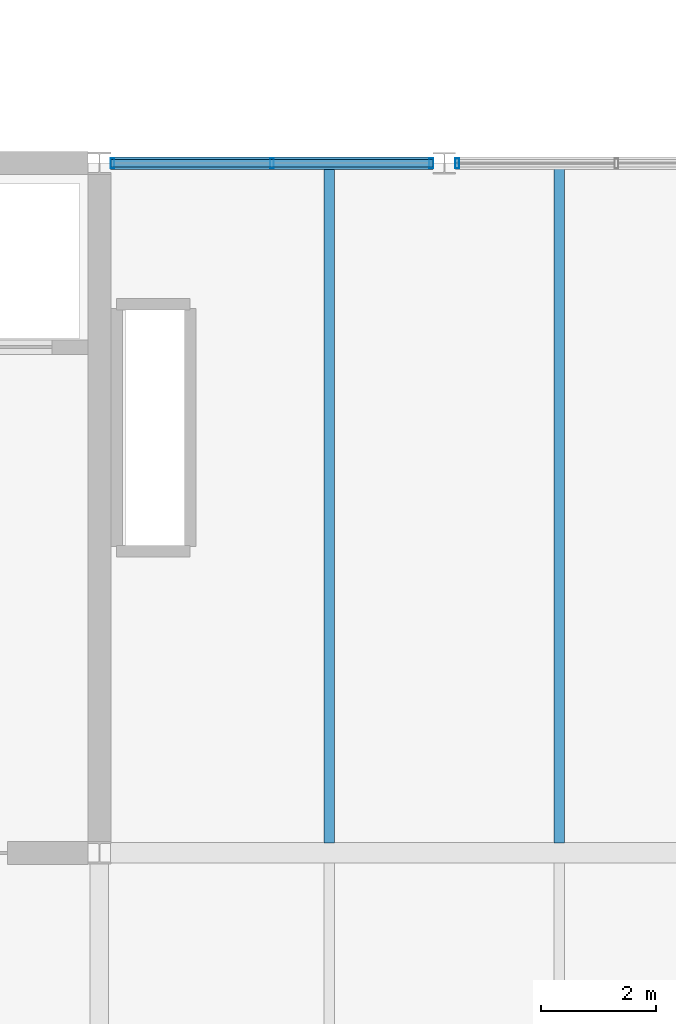
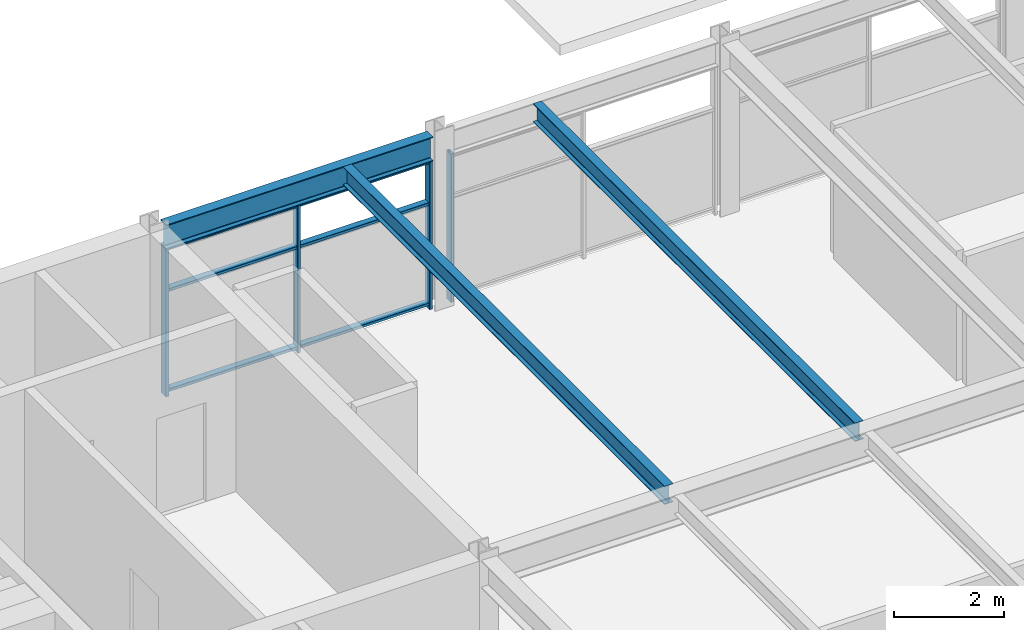
# One storey, part 21 of 49: 7 members, 3 beams, 2 elements without a shape of their own.
"""IFC4 building model written with IfcOpenShell, lengths in metres."""

from ifc_helpers import new_model, si_unit, direction, frame, origin, origin_2d, place, context, subcontext, project, spatial, hollow_rectangle, i_section, extrude, material, material_profile, profile_set, type_object, element, aggregate, save


model = new_model("IFC4")

# Units and contexts
model_context = context("Model", 3, precision=1e-05, world=origin(), true_north=direction((0.0, 1.0)))
body_context = subcontext(model_context, "Body", "Model", "MODEL_VIEW")
ifc_project = project(units=[si_unit("LENGTHUNIT", "METRE"), si_unit("AREAUNIT", "SQUARE_METRE"), si_unit("VOLUMEUNIT", "CUBIC_METRE"), si_unit("PLANEANGLEUNIT", "RADIAN"), si_unit("MASSUNIT", "GRAM", prefix="KILO")], contexts=[model_context])

# Site, building, storey
site_placement = place(None, origin())
site = spatial("IfcSite", under=ifc_project, at=site_placement, CompositionType="ELEMENT")
building_placement = place(site_placement, origin())
building = spatial("IfcBuilding", under=site, at=building_placement, Name="Girod Span Mobility Hub", CompositionType="ELEMENT")
storey_placement = place(building_placement, frame((0.0, 0.0, 37.60009765625)))
storey = spatial("IfcBuildingStorey", under=building, at=storey_placement, Name="L09", CompositionType="ELEMENT", Elevation=37.60009765625)

# Beams
ifc_material_1 = material(Name="Steel A992 Grade 50", Category="steel")
ifc_material_profile_1 = material_profile(ifc_material_1, i_section(OverallWidth=0.178955078125, OverallDepth=0.409912109375, WebThickness=0.0087890625, FlangeThickness=0.014404296875, FilletRadius=0.012939453125, at=origin_2d()), Name="W16X45")
ifc_profile_set_1 = profile_set([ifc_material_profile_1], Name="Steel A992 Grade 50")
beam_type_1 = type_object("IfcBeamType", Name="BM-STL-W16X45", PredefinedType="BEAM", material=ifc_profile_set_1)
for number, where, z_axis, x_axis, name in (
    (1, (64.0, 57.174560546875, 3.6298828125), (0.0, 1.0, 0.0), (-1.0, 0.0, 0.0), "Composite Floorbeam 6/E-1 L09"),
    (2, (68.0, 57.174560546875, 3.6298828125), (0.0, 1.0, 0.0), (-1.0, 0.0, 0.0), "Composite Floorbeam 6/E-2 L09"),
):
    element("IfcBeam", number, at=place(storey_placement, frame(where, z_axis=z_axis, x_axis=x_axis)), inside=storey, type_object=beam_type_1, Name=name, PredefinedType="BEAM", context=body_context, shape_type="SweptSolid", body=[
        extrude(i_section(OverallWidth=0.178955078125, OverallDepth=0.409912109375, WebThickness=0.0087890625, FlangeThickness=0.014404296875, FilletRadius=0.012939453125, at=origin_2d()), origin(), (0.0, 0.0, 1.0), 11.722412109375),
    ])
ifc_material_2 = material(Name="Steel A992 Grade 50", Category="steel")
ifc_material_profile_2 = material_profile(ifc_material_2, i_section(OverallWidth=0.2119140625, OverallDepth=0.5439453125, WebThickness=0.01318359375, FlangeThickness=0.021240234375, FilletRadius=0.014892578125, at=origin_2d()), Name="W21X83")
ifc_profile_set_2 = profile_set([ifc_material_profile_2], Name="Steel A992 Grade 50")
beam_type_2 = type_object("IfcBeamType", Name="BM-STL-W21X83", PredefinedType="SPANDREL", material=ifc_profile_set_2)
beam_placement = place(storey_placement, frame((60.196533203125, 69.0, 3.56298828125), z_axis=(1.0, 0.0, 0.0), x_axis=(0.0, 1.0, 0.0)))
element("IfcBeam", 3, at=beam_placement, inside=storey, type_object=beam_type_2, Name="Spandrel Beam 6-7/F-W L09", PredefinedType="SPANDREL", context=body_context, shape_type="SweptSolid", body=[
    extrude(i_section(OverallWidth=0.2119140625, OverallDepth=0.5439453125, WebThickness=0.01318359375, FlangeThickness=0.021240234375, FilletRadius=0.014892578125, at=origin_2d()), origin(), (0.0, 0.0, 1.0), 5.609375),
])

# Curtain wall, members
ifc_material_3 = material(Name="Thermally Broken Anodised Aluminium", Category="aluminium")
curtain_wall_type = type_object("IfcCurtainWallType", Name="CW-561X329", PredefinedType="USERDEFINED", material=ifc_material_3)
curtain_wall_1_placement = place(storey_placement, origin())
curtain_wall_1 = element("IfcCurtainWall", 4, at=curtain_wall_1_placement, inside=storey, type_object=curtain_wall_type, Name="Unitised Curtain Wall CW-L09-N06W L09", ObjectType="UNITISED CURTAIN WALL", PredefinedType="USERDEFINED")
ifc_material_4 = material(Name="Thermally Broken Anodised Aluminium", Category="aluminium")
ifc_material_profile_3 = material_profile(ifc_material_4, hollow_rectangle(XDim=0.179931640625, YDim=0.06494140625, WallThickness=0.00390625, InnerFilletRadius=0.00390625, OuterFilletRadius=0.008056640625, at=origin_2d()), Name="CW-ML-65X180")
ifc_profile_set_3 = profile_set([ifc_material_profile_3], Name="Thermally Broken Anodised Aluminium")
member_type_1 = type_object("IfcMemberType", Name="CWM-ML-2", PredefinedType="MULLION", material=ifc_profile_set_3)
member_1_placement = place(storey_placement, frame((60.2294921875, 69.0, 0.0), z_axis=(0.0, 0.0, 1.0), x_axis=(0.0, 1.0, 0.0)))
member_1 = element("IfcMember", 5, at=member_1_placement, type_object=member_type_1, Name="Curtain Wall Mullion CW-L09-N06W-M0", PredefinedType="MULLION", context=body_context, shape_type="SweptSolid", body=[
    extrude(hollow_rectangle(XDim=0.179931640625, YDim=0.06494140625, WallThickness=0.00390625, InnerFilletRadius=0.00390625, OuterFilletRadius=0.008056640625, at=origin_2d()), origin(), (0.0, 0.0, 1.0), 3.291015625),
])
member_2_placement = place(storey_placement, frame((63.001220703125, 69.0, 0.0), z_axis=(0.0, 0.0, 1.0), x_axis=(0.0, 1.0, 0.0)))
member_2 = element("IfcMember", 6, at=member_2_placement, type_object=member_type_1, Name="Curtain Wall Mullion CW-L09-N06W-M1", PredefinedType="MULLION", context=body_context, shape_type="SweptSolid", body=[
    extrude(hollow_rectangle(XDim=0.179931640625, YDim=0.06494140625, WallThickness=0.00390625, InnerFilletRadius=0.00390625, OuterFilletRadius=0.008056640625, at=origin_2d()), origin(), (0.0, 0.0, 1.0), 3.291015625),
])
member_3_placement = place(storey_placement, frame((65.77294921875, 69.0, 0.0), z_axis=(0.0, 0.0, 1.0), x_axis=(0.0, 1.0, 0.0)))
member_3 = element("IfcMember", 7, at=member_3_placement, type_object=member_type_1, Name="Curtain Wall Mullion CW-L09-N06W-M2", PredefinedType="MULLION", context=body_context, shape_type="SweptSolid", body=[
    extrude(hollow_rectangle(XDim=0.179931640625, YDim=0.06494140625, WallThickness=0.00390625, InnerFilletRadius=0.00390625, OuterFilletRadius=0.008056640625, at=origin_2d()), origin(), (0.0, 0.0, 1.0), 3.291015625),
])

# Curtain wall, member
curtain_wall_2_placement = place(storey_placement, origin())
curtain_wall_2 = element("IfcCurtainWall", 8, at=curtain_wall_2_placement, inside=storey, type_object=curtain_wall_type, Name="Unitised Curtain Wall CW-L09-N06E L09", ObjectType="UNITISED CURTAIN WALL", PredefinedType="USERDEFINED")
member_4_placement = place(storey_placement, frame((66.22705078125, 69.0, 0.0), z_axis=(0.0, 0.0, 1.0), x_axis=(0.0, 1.0, 0.0)))
member_4 = element("IfcMember", 9, at=member_4_placement, type_object=member_type_1, Name="Curtain Wall Mullion CW-L09-N06E-M0", PredefinedType="MULLION", context=body_context, shape_type="SweptSolid", body=[
    extrude(hollow_rectangle(XDim=0.179931640625, YDim=0.06494140625, WallThickness=0.00390625, InnerFilletRadius=0.00390625, OuterFilletRadius=0.008056640625, at=origin_2d()), origin(), (0.0, 0.0, 1.0), 3.291015625),
])
aggregate(curtain_wall_2, [member_4])

# Member
ifc_material_5 = material(Name="Thermally Broken Anodised Aluminium", Category="aluminium")
ifc_material_profile_4 = material_profile(ifc_material_5, hollow_rectangle(XDim=0.135009765625, YDim=0.06494140625, WallThickness=0.00390625, InnerFilletRadius=0.00390625, OuterFilletRadius=0.008056640625, at=origin_2d()), Name="CW-TR-65X135")
ifc_profile_set_4 = profile_set([ifc_material_profile_4], Name="Thermally Broken Anodised Aluminium")
member_type_2 = type_object("IfcMemberType", Name="CWM-TR-2", PredefinedType="USERDEFINED", material=ifc_profile_set_4)
member_5_placement = place(storey_placement, frame((60.197509765625, 69.0, 0.107421875), z_axis=(1.0, 0.0, 0.0), x_axis=(0.0, 1.0, 0.0)))
member_5 = element("IfcMember", 10, at=member_5_placement, type_object=member_type_2, Name="Curtain Wall Transom CW-L09-N06W-T1", ObjectType="TRANSOM", PredefinedType="USERDEFINED", context=body_context, shape_type="SweptSolid", body=[
    extrude(hollow_rectangle(XDim=0.135009765625, YDim=0.06494140625, WallThickness=0.00390625, InnerFilletRadius=0.00390625, OuterFilletRadius=0.008056640625, at=origin_2d()), origin(), (0.0, 0.0, 1.0), 5.607421875),
])

member_6_placement = place(storey_placement, frame((60.197509765625, 69.0, 2.3369140625), z_axis=(1.0, 0.0, 0.0), x_axis=(0.0, 1.0, 0.0)))
member_6 = element("IfcMember", 11, at=member_6_placement, type_object=member_type_2, Name="Curtain Wall Transom CW-L09-N06W-T2", ObjectType="TRANSOM", PredefinedType="USERDEFINED", context=body_context, shape_type="SweptSolid", body=[
    extrude(hollow_rectangle(XDim=0.135009765625, YDim=0.06494140625, WallThickness=0.00390625, InnerFilletRadius=0.00390625, OuterFilletRadius=0.008056640625, at=origin_2d()), origin(), (0.0, 0.0, 1.0), 5.607421875),
])

member_7_placement = place(storey_placement, frame((60.197509765625, 69.0, 3.25830078125), z_axis=(1.0, 0.0, 0.0), x_axis=(0.0, 1.0, 0.0)))
member_7 = element("IfcMember", 12, at=member_7_placement, type_object=member_type_2, Name="Curtain Wall Transom CW-L09-N06W-T3", ObjectType="TRANSOM", PredefinedType="USERDEFINED", context=body_context, shape_type="SweptSolid", body=[
    extrude(hollow_rectangle(XDim=0.135009765625, YDim=0.06494140625, WallThickness=0.00390625, InnerFilletRadius=0.00390625, OuterFilletRadius=0.008056640625, at=origin_2d()), origin(), (0.0, 0.0, 1.0), 5.607421875),
])

aggregate(curtain_wall_1, [member_1, member_2, member_3, member_5, member_6, member_7])

save(model, "model.ifc")
